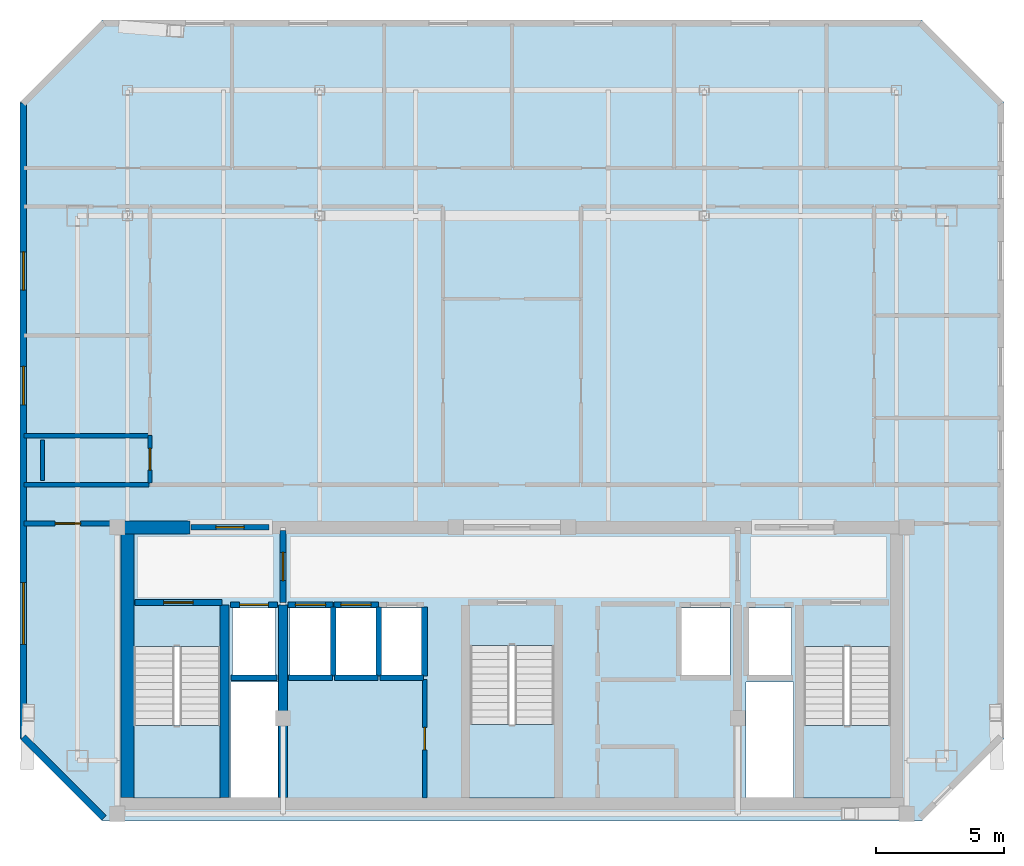
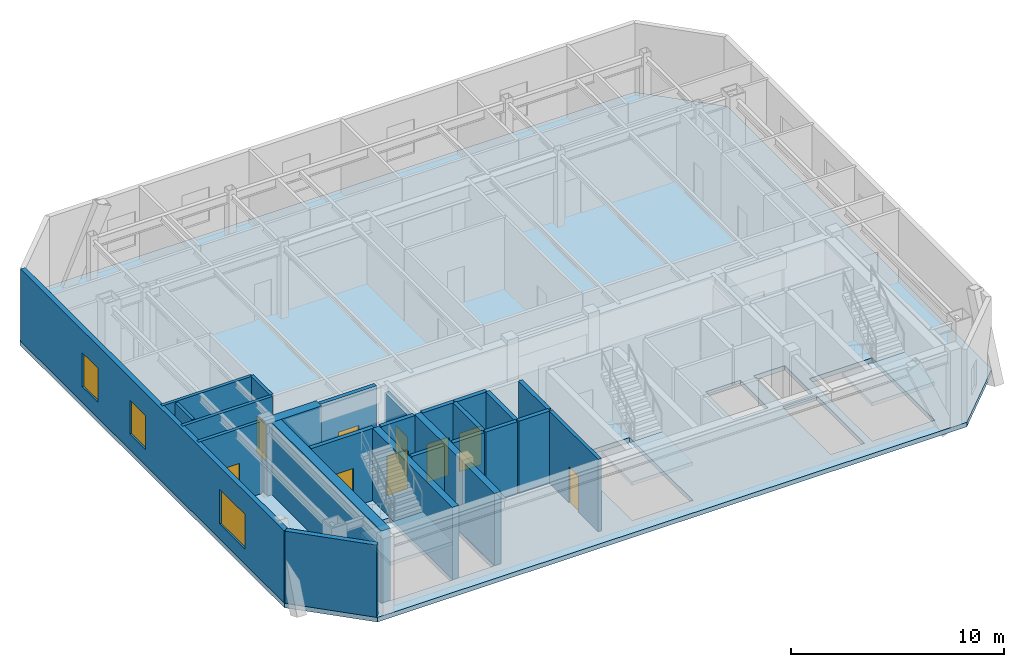
# One storey, part 2 of 6: 25 walls, 9 doors, 4 slabs, 3 windows, 12 openings, 3 elements without a shape of their own.
"""IFC4 building model written with IfcOpenShell, lengths in metres."""

from ifc_helpers import new_model, si_unit, direction, frame, frame_2d, origin, place, context, subcontext, project, spatial, polyline, rectangle, outline, extrude, material, layer, layer_set, type_object, element, fill, aggregate, save


model = new_model("IFC4")

# Units and contexts
model_context = context("Model", 3, precision=1e-05, world=origin(), true_north=direction((0.0, 1.0)))
body_context = subcontext(model_context, "Body", "Model", "MODEL_VIEW")
ifc_project = project(units=[si_unit("LENGTHUNIT", "METRE"), si_unit("AREAUNIT", "SQUARE_METRE"), si_unit("VOLUMEUNIT", "CUBIC_METRE"), si_unit("PLANEANGLEUNIT", "RADIAN"), si_unit("MASSUNIT", "GRAM", prefix="KILO")], contexts=[model_context])

# Site, building, storey
site_placement = place(None, origin())
site = spatial("IfcSite", under=ifc_project, at=site_placement, CompositionType="ELEMENT")
building_placement = place(site_placement, origin())
building = spatial("IfcBuilding", under=site, at=building_placement, Name="Ventersveld Concourse Tower", CompositionType="ELEMENT")
storey_placement = place(building_placement, frame((0.0, 0.0, 349.050048828125)))
storey = spatial("IfcBuildingStorey", under=building, at=storey_placement, Name="L86", CompositionType="ELEMENT", Elevation=349.050048828125)

# Slab
ifc_material_1 = material(Name="Concrete C50/60", Category="concrete")
ifc_layer_1 = layer(ifc_material_1, 0.260009765625)
ifc_layer_set_1 = layer_set([ifc_layer_1], Name="Concrete C50/60")
slab_type_1 = type_object("IfcSlabType", Name="SL-FLR-260", PredefinedType="FLOOR", material=ifc_layer_set_1)
slab_1_placement = place(storey_placement, frame((0.0, 0.0, -0.260009765625)))
element("IfcSlab", 1, at=slab_1_placement, inside=storey, type_object=slab_type_1, Name="L86 Composite Floor Slab", PredefinedType="FLOOR", context=body_context, shape_type="SweptSolid", body=[
    extrude(outline(polyline([(12.76171875, 0.0), (44.73828125, 0.0), (47.938232421875, 3.199951171875), (47.938232421875, 28.036865234375), (44.73828125, 31.23681640625), (12.76171875, 31.23681640625), (9.561767578125, 28.036865234375), (9.561767578125, 3.199951171875), (12.76171875, 0.0)]), holes=[polyline([(13.97998046875, 6.794921875), (13.97998046875, 0.89990234375), (17.3798828125, 0.89990234375), (17.3798828125, 6.794921875), (13.97998046875, 6.794921875)]), polyline([(40.1201171875, 6.794921875), (40.1201171875, 0.89990234375), (43.52001953125, 0.89990234375), (43.52001953125, 6.794921875), (40.1201171875, 6.794921875)]), polyline([(27.10009765625, 6.844970703125), (27.10009765625, 0.89990234375), (30.39990234375, 0.89990234375), (30.39990234375, 6.844970703125), (27.10009765625, 6.844970703125)]), polyline([(17.85009765625, 5.699951171875), (19.530029296875, 5.699951171875), (19.530029296875, 8.300048828125), (17.85009765625, 8.300048828125), (17.85009765625, 5.699951171875)]), polyline([(37.969970703125, 5.699951171875), (39.64990234375, 5.699951171875), (39.64990234375, 8.300048828125), (37.969970703125, 8.300048828125), (37.969970703125, 5.699951171875)]), polyline([(35.35009765625, 5.699951171875), (37.25, 5.699951171875), (37.25, 8.300048828125), (35.35009765625, 8.300048828125), (35.35009765625, 5.699951171875)]), polyline([(20.090087890625, 5.699951171875), (21.68994140625, 5.699951171875), (21.68994140625, 8.300048828125), (20.090087890625, 8.300048828125), (20.090087890625, 5.699951171875)]), polyline([(21.8701171875, 5.699951171875), (23.469970703125, 5.699951171875), (23.469970703125, 8.300048828125), (21.8701171875, 8.300048828125), (21.8701171875, 5.699951171875)]), polyline([(23.64990234375, 5.699951171875), (25.25, 5.699951171875), (25.25, 8.300048828125), (23.64990234375, 8.300048828125), (23.64990234375, 5.699951171875)]), polyline([(17.780029296875, 0.919921875), (19.6201171875, 0.919921875), (19.6201171875, 5.419921875), (17.780029296875, 5.419921875), (17.780029296875, 0.919921875)]), polyline([(37.8798828125, 0.919921875), (39.719970703125, 0.919921875), (39.719970703125, 5.419921875), (37.8798828125, 5.419921875), (37.8798828125, 0.919921875)])]), origin(), (0.0, 0.0, 1.0), 0.260009765625),
])

# Stair, slab
stair_type_1 = type_object("IfcStairType", Name="ST-DOG-160", PredefinedType="HALF_TURN_STAIR", material=ifc_material_1)
stair_1_placement = place(storey_placement, origin())
stair_1 = element("IfcStair", 2, at=stair_1_placement, inside=storey, type_object=stair_type_1, Name="L86 Protected Tower Escape Stair ST-01", PredefinedType="HALF_TURN_STAIR")
ifc_layer_2 = layer(ifc_material_1, 0.199951171875)
ifc_layer_set_2 = layer_set([ifc_layer_2], Name="Concrete C50/60")
slab_type_2 = type_object("IfcSlabType", Name="SL-LND-200", PredefinedType="LANDING", material=ifc_layer_set_2)
slab_2_placement = place(storey_placement, frame((0.0, 0.0, 2.0)))
slab_2 = element("IfcSlab", 3, at=slab_2_placement, type_object=slab_type_2, Name="ST-01 landing 1", PredefinedType="LANDING", context=body_context, shape_type="SweptSolid", body=[
    extrude(outline(polyline([(13.97998046875, 3.719970703125), (13.97998046875, 0.89990234375), (17.3798828125, 0.89990234375), (17.3798828125, 3.719970703125), (13.97998046875, 3.719970703125)])), origin(), (0.0, 0.0, 1.0), 0.199951171875),
])
aggregate(stair_1, [slab_2])

stair_2_placement = place(storey_placement, origin())
stair_2 = element("IfcStair", 4, at=stair_2_placement, inside=storey, type_object=stair_type_1, Name="L86 Protected Tower Escape Stair ST-02", PredefinedType="HALF_TURN_STAIR")
slab_3_placement = place(storey_placement, frame((0.0, 0.0, 2.0)))
slab_3 = element("IfcSlab", 5, at=slab_3_placement, type_object=slab_type_2, Name="ST-02 landing 1", PredefinedType="LANDING", context=body_context, shape_type="SweptSolid", body=[
    extrude(outline(polyline([(40.1201171875, 3.719970703125), (40.1201171875, 0.89990234375), (43.52001953125, 0.89990234375), (43.52001953125, 3.719970703125), (40.1201171875, 3.719970703125)])), origin(), (0.0, 0.0, 1.0), 0.199951171875),
])
aggregate(stair_2, [slab_3])

stair_type_2 = type_object("IfcStairType", Name="ST-DOG-155", PredefinedType="HALF_TURN_STAIR", material=ifc_material_1)
stair_3_placement = place(storey_placement, origin())
stair_3 = element("IfcStair", 6, at=stair_3_placement, inside=storey, type_object=stair_type_2, Name="L86 Protected Central Core Escape Stair ST-03", PredefinedType="HALF_TURN_STAIR")
slab_4_placement = place(storey_placement, frame((0.0, 0.0, 2.0)))
slab_4 = element("IfcSlab", 7, at=slab_4_placement, type_object=slab_type_2, Name="ST-03 landing 1", PredefinedType="LANDING", context=body_context, shape_type="SweptSolid", body=[
    extrude(outline(polyline([(27.10009765625, 3.77001953125), (27.10009765625, 0.89990234375), (30.39990234375, 0.89990234375), (30.39990234375, 3.77001953125), (27.10009765625, 3.77001953125)])), origin(), (0.0, 0.0, 1.0), 0.199951171875),
])
aggregate(stair_3, [slab_4])

# Walls
ifc_layer_3 = layer(ifc_material_1, 0.35009765625)
ifc_layer_set_3 = layer_set([ifc_layer_3], Name="Concrete C50/60")
wall_type_1 = type_object("IfcWallType", Name="WL-CORE-350U", PredefinedType="SHEAR", material=ifc_layer_set_3)
for number, where, z_axis, x_axis, name in (
    (8, (17.5400390625, 0.919921875, 0.0), (0.0, 0.0, 1.0), (0.0, 1.0, 0.0), "L86 Core Internal Shear Web W-ST1-E"),
    (9, (19.820068359375, 0.919921875, 0.0), (0.0, 0.0, 1.0), (0.0, 1.0, 0.0), "L86 Core Internal Shear Web W-FF1-E"),
):
    element("IfcWall", number, at=place(storey_placement, frame(where, z_axis=z_axis, x_axis=x_axis)), inside=storey, type_object=wall_type_1, Name=name, PredefinedType="SHEAR", context=body_context, shape_type="SweptSolid", body=[
        extrude(rectangle(XDim=7.5, YDim=0.35009765625, at=frame_2d((3.75, 0.0))), origin(), (0.0, 0.0, 1.0), 4.139892578125),
    ])
ifc_layer_4 = layer(ifc_material_1, 0.5)
ifc_layer_set_4 = layer_set([ifc_layer_4], Name="Concrete C50/60")
wall_type_2 = type_object("IfcWallType", Name="WL-CORE-500", PredefinedType="SHEAR", material=ifc_layer_set_4)
wall_1_placement = place(storey_placement, frame((13.75, 0.919921875, 0.0), z_axis=(0.0, 0.0, 1.0), x_axis=(0.0, 1.0, 0.0)))
element("IfcWall", 10, at=wall_1_placement, inside=storey, type_object=wall_type_2, Name="L86 Rear Core West Shear Wall", PredefinedType="SHEAR", context=body_context, shape_type="SweptSolid", body=[
    extrude(rectangle(XDim=10.530029296875, YDim=0.5, at=frame_2d((5.26513671875, 0.0))), origin(), (0.0, 0.0, 1.0), 4.139892578125),
])
wall_2_placement = place(storey_placement, frame((13.25, 11.449951171875, 0.0), z_axis=(0.0, 0.0, 1.0), x_axis=(1.0, 0.0, 0.0)))
element("IfcWall", 11, at=wall_2_placement, inside=storey, type_object=wall_type_2, Name="L86 Rear Core North Shear Wall NW", PredefinedType="SHEAR", context=body_context, shape_type="SweptSolid", body=[
    extrude(rectangle(XDim=2.949951171875, YDim=0.5, at=frame_2d((1.47509765625, 0.0))), origin(), (0.0, 0.0, 1.0), 4.139892578125),
])

# Wall, opening, door
ifc_material_2 = material(Name="Fire-rated autoclaved aerated masonry blockwork", Category="masonry")
ifc_layer_5 = layer(ifc_material_2, 0.179931640625)
ifc_layer_set_5 = layer_set([ifc_layer_5], Name="Fire-rated autoclaved aerated masonry blockwork")
wall_type_3 = type_object("IfcWallType", Name="WL-CORR-180", PredefinedType="PARTITIONING", material=ifc_layer_set_5)
wall_3_placement = place(storey_placement, frame((25.35009765625, 0.89990234375, 0.0), z_axis=(0.0, 0.0, 1.0), x_axis=(0.0, 1.0, 0.0)))
wall_3 = element("IfcWall", 12, at=wall_3_placement, inside=storey, type_object=wall_type_3, Name="L86 Core Passage Wall SP-L86-RECB1A", PredefinedType="PARTITIONING", context=body_context, shape_type="SweptSolid", body=[
    extrude(rectangle(XDim=4.6201171875, YDim=0.179931640625, at=frame_2d((2.31005859375, 0.0))), origin(), (0.0, 0.0, 1.0), 4.139892578125),
])
opening_1_placement = place(wall_3_placement, frame((1.8701171875, 0.0, 0.0)))
opening_1 = element("IfcOpeningElement", 13, at=opening_1_placement, cuts=wall_3, Name="Opening FD5", PredefinedType="OPENING", context=body_context, shape_type="SweptSolid", body=[
    extrude(rectangle(XDim=0.8798828125, YDim=2.050048828125, at=frame_2d((0.43994140625, 1.02490234375))), frame((0.0, 0.10009765625, 0.0), z_axis=(0.0, -1.0, 0.0), x_axis=(1.0, 0.0, 0.0)), (0.0, 0.0, 1.0), 0.199951171875),
])
ifc_material_3 = material(Name="Galvanised painted steel", Category="steel")
door_type_1 = type_object("IfcDoorType", Name="DR-RISER-088", OperationType="NOTDEFINED", PredefinedType="DOOR", material=ifc_material_3)
door_1_placement = place(opening_1_placement, origin())
door_1 = element("IfcDoor", 14, at=door_1_placement, inside=storey, type_object=door_type_1, Name="L86 Core Room Door L86 Reclaimed Core Meeting Pod (CD-L86-3836)", OperationType="SINGLE_SWING_LEFT", OverallHeight=2.050048828125, OverallWidth=0.8798828125, PredefinedType="DOOR", context=body_context, shape_type="SweptSolid", body=[
    extrude(rectangle(XDim=0.8798828125, YDim=2.050048828125, at=frame_2d((0.43994140625, 1.02490234375))), frame((0.0, 0.02490234375, 0.0), z_axis=(0.0, -1.0, 0.0), x_axis=(1.0, 0.0, 0.0)), (0.0, 0.0, 1.0), 0.050048828125),
])
fill(opening_1, door_1)

wall_4_placement = place(storey_placement, frame((9.711181640625, 11.60009765625, 0.0), z_axis=(0.0, 0.0, 1.0), x_axis=(1.0, 0.0, 0.0)))
wall_4 = element("IfcWall", 15, at=wall_4_placement, inside=storey, type_object=wall_type_3, Name="L86 Interior Partition SP-L86-SW-GAL-SP-L86-COR", PredefinedType="PARTITIONING", context=body_context, shape_type="SweptSolid", body=[
    extrude(rectangle(XDim=3.433837890625, YDim=0.179931640625, at=frame_2d((1.716796875, 0.0))), origin(), (0.0, 0.0, 1.0), 4.139892578125),
])
opening_2_placement = place(wall_4_placement, frame((1.216796875, 0.0, 0.0)))
opening_2 = element("IfcOpeningElement", 16, at=opening_2_placement, cuts=wall_4, Name="Opening FD3", PredefinedType="OPENING", context=body_context, shape_type="SweptSolid", body=[
    extrude(rectangle(XDim=1.0, YDim=2.14990234375, at=frame_2d((0.5, 1.074951171875))), frame((0.0, 0.10009765625, 0.0), z_axis=(0.0, -1.0, 0.0), x_axis=(1.0, 0.0, 0.0)), (0.0, 0.0, 1.0), 0.199951171875),
])
ifc_material_4 = material(Name="Solid-core hardwood veneer timber", Category="wood")
door_type_2 = type_object("IfcDoorType", Name="DR-FLAT-100", OperationType="NOTDEFINED", PredefinedType="DOOR", material=ifc_material_4)
door_2_placement = place(opening_2_placement, origin())
door_2 = element("IfcDoor", 17, at=door_2_placement, inside=storey, type_object=door_type_2, Name="L86 Interior Door SP-L86-SW-GAL to SP-L86-COR (D-L86-3840)", OperationType="SINGLE_SWING_RIGHT", OverallHeight=2.14990234375, OverallWidth=1.0, PredefinedType="DOOR", context=body_context, shape_type="SweptSolid", body=[
    extrude(rectangle(XDim=1.0, YDim=2.14990234375, at=frame_2d((0.5, 1.074951171875))), frame((0.0, 0.02490234375, 0.0), z_axis=(0.0, -1.0, 0.0), x_axis=(1.0, 0.0, 0.0)), (0.0, 0.0, 1.0), 0.050048828125),
])
fill(opening_2, door_2)

# Walls
wall_5_placement = place(storey_placement, frame((9.711181640625, 13.114990234375, 0.0), z_axis=(0.0, 0.0, 1.0), x_axis=(1.0, 0.0, 0.0)))
element("IfcWall", 18, at=wall_5_placement, inside=storey, type_object=wall_type_3, Name="L86 Interior Partition SP-L86-COR-SP-L86-86N1-BATH", PredefinedType="PARTITIONING", context=body_context, shape_type="SweptSolid", body=[
    extrude(rectangle(XDim=4.885498046875, YDim=0.179931640625, at=frame_2d((2.44287109375, 0.0))), origin(), (0.0, 0.0, 1.0), 4.139892578125),
])
ifc_layer_6 = layer(ifc_material_2, 0.219970703125)
ifc_layer_set_6 = layer_set([ifc_layer_6], Name="Fire-rated autoclaved aerated masonry blockwork")
wall_type_4 = type_object("IfcWallType", Name="WL-HOIST-220", PredefinedType="SOLIDWALL", material=ifc_layer_set_6)
wall_6_placement = place(storey_placement, frame((17.800048828125, 5.590087890625, 0.0), z_axis=(0.0, 0.0, 1.0), x_axis=(1.0, 0.0, 0.0)))
element("IfcWall", 19, at=wall_6_placement, inside=storey, type_object=wall_type_4, Name="L86 Lift Hoistway Back Wall FFL-01", PredefinedType="SOLIDWALL", context=body_context, shape_type="SweptSolid", body=[
    extrude(rectangle(XDim=1.780029296875, YDim=0.219970703125, at=frame_2d((0.89013671875, 0.0))), origin(), (0.0, 0.0, 1.0), 4.139892578125),
])

# Wall, opening, door
wall_7_placement = place(storey_placement, frame((17.780029296875, 8.429931640625, 0.0), z_axis=(0.0, 0.0, 1.0), x_axis=(1.0, 0.0, 0.0)))
wall_7 = element("IfcWall", 20, at=wall_7_placement, inside=storey, type_object=wall_type_4, Name="L86 Lift Hoistway Front Wall FFL-01", PredefinedType="SOLIDWALL", context=body_context, shape_type="SweptSolid", body=[
    extrude(rectangle(XDim=1.820068359375, YDim=0.219970703125, at=frame_2d((0.91015625, 0.0))), origin(), (0.0, 0.0, 1.0), 4.139892578125),
])
opening_3_placement = place(wall_7_placement, frame((0.35009765625, 0.0, 0.0)))
opening_3 = element("IfcOpeningElement", 21, at=opening_3_placement, cuts=wall_7, Name="Opening LD1", PredefinedType="OPENING", context=body_context, shape_type="SweptSolid", body=[
    extrude(rectangle(XDim=1.1201171875, YDim=2.25, at=frame_2d((0.56005859375, 1.125))), frame((0.0, 0.1201171875, 0.0), z_axis=(0.0, -1.0, 0.0), x_axis=(1.0, 0.0, 0.0)), (0.0, 0.0, 1.0), 0.239990234375),
])
ifc_material_5 = material(Name="Brushed stainless steel 316", Category="steel")
door_type_3 = type_object("IfcDoorType", Name="LD-FF-112", OperationType="SLIDING_TO_LEFT", PredefinedType="DOOR", material=ifc_material_5)
door_3_placement = place(opening_3_placement, origin())
door_3 = element("IfcDoor", 22, at=door_3_placement, inside=storey, type_object=door_type_3, Name="L86 Lift landing door FFL-01 (LD-L86-FFL-01)", OperationType="SLIDING_TO_RIGHT", OverallHeight=2.25, OverallWidth=1.1201171875, PredefinedType="DOOR", context=body_context, shape_type="SweptSolid", body=[
    extrude(rectangle(XDim=1.1201171875, YDim=2.25, at=frame_2d((0.56005859375, 1.125))), frame((0.0, 0.02490234375, 0.0), z_axis=(0.0, -1.0, 0.0), x_axis=(1.0, 0.0, 0.0)), (0.0, 0.0, 1.0), 0.050048828125),
])
fill(opening_3, door_3)

# Walls
wall_8_placement = place(storey_placement, frame((20.0400390625, 5.590087890625, 0.0), z_axis=(0.0, 0.0, 1.0), x_axis=(1.0, 0.0, 0.0)))
element("IfcWall", 23, at=wall_8_placement, inside=storey, type_object=wall_type_4, Name="L86 Lift Hoistway Back Wall PH-01", PredefinedType="SOLIDWALL", context=body_context, shape_type="SweptSolid", body=[
    extrude(rectangle(XDim=1.699951171875, YDim=0.219970703125, at=frame_2d((0.85009765625, 0.0))), origin(), (0.0, 0.0, 1.0), 4.139892578125),
])
wall_9_placement = place(storey_placement, frame((21.780029296875, 5.64990234375, 0.0), z_axis=(0.0, 0.0, 1.0), x_axis=(0.0, 1.0, 0.0)))
element("IfcWall", 24, at=wall_9_placement, inside=storey, type_object=wall_type_4, Name="L86 Lift Hoistway Side Wall PH-01E", PredefinedType="SOLIDWALL", context=body_context, shape_type="SweptSolid", body=[
    extrude(rectangle(XDim=2.7001953125, YDim=0.219970703125, at=frame_2d((1.35009765625, 0.0))), origin(), (0.0, 0.0, 1.0), 4.139892578125),
])

# Wall, opening, door
wall_10_placement = place(storey_placement, frame((20.02001953125, 8.429931640625, 0.0), z_axis=(0.0, 0.0, 1.0), x_axis=(1.0, 0.0, 0.0)))
wall_10 = element("IfcWall", 25, at=wall_10_placement, inside=storey, type_object=wall_type_4, Name="L86 Lift Hoistway Front Wall PH-01", PredefinedType="SOLIDWALL", context=body_context, shape_type="SweptSolid", body=[
    extrude(rectangle(XDim=1.739990234375, YDim=0.219970703125, at=frame_2d((0.8701171875, 0.0))), origin(), (0.0, 0.0, 1.0), 4.139892578125),
])
opening_4_placement = place(wall_10_placement, frame((0.280029296875, 0.0, 0.0)))
opening_4 = element("IfcOpeningElement", 26, at=opening_4_placement, cuts=wall_10, Name="Opening LD2", PredefinedType="OPENING", context=body_context, shape_type="SweptSolid", body=[
    extrude(rectangle(XDim=1.179931640625, YDim=2.199951171875, at=frame_2d((0.58984375, 1.10009765625))), frame((0.0, 0.1201171875, 0.0), z_axis=(0.0, -1.0, 0.0), x_axis=(1.0, 0.0, 0.0)), (0.0, 0.0, 1.0), 0.239990234375),
])
door_type_4 = type_object("IfcDoorType", Name="LD-PAX-118", OperationType="SLIDING_TO_LEFT", PredefinedType="DOOR", material=ifc_material_5)
door_4_placement = place(opening_4_placement, origin())
door_4 = element("IfcDoor", 27, at=door_4_placement, inside=storey, type_object=door_type_4, Name="L86 Lift landing door PH-01 (LD-L86-PH-01)", OperationType="SLIDING_TO_LEFT", OverallHeight=2.199951171875, OverallWidth=1.179931640625, PredefinedType="DOOR", context=body_context, shape_type="SweptSolid", body=[
    extrude(rectangle(XDim=1.179931640625, YDim=2.199951171875, at=frame_2d((0.58984375, 1.10009765625))), frame((0.0, 0.02490234375, 0.0), z_axis=(0.0, -1.0, 0.0), x_axis=(1.0, 0.0, 0.0)), (0.0, 0.0, 1.0), 0.050048828125),
])
fill(opening_4, door_4)

# Walls
wall_11_placement = place(storey_placement, frame((21.820068359375, 5.590087890625, 0.0), z_axis=(0.0, 0.0, 1.0), x_axis=(1.0, 0.0, 0.0)))
element("IfcWall", 28, at=wall_11_placement, inside=storey, type_object=wall_type_4, Name="L86 Lift Hoistway Back Wall PH-02", PredefinedType="SOLIDWALL", context=body_context, shape_type="SweptSolid", body=[
    extrude(rectangle(XDim=1.699951171875, YDim=0.219970703125, at=frame_2d((0.85009765625, 0.0))), origin(), (0.0, 0.0, 1.0), 4.139892578125),
])
wall_12_placement = place(storey_placement, frame((23.56005859375, 5.64990234375, 0.0), z_axis=(0.0, 0.0, 1.0), x_axis=(0.0, 1.0, 0.0)))
element("IfcWall", 29, at=wall_12_placement, inside=storey, type_object=wall_type_4, Name="L86 Lift Hoistway Side Wall PH-02E", PredefinedType="SOLIDWALL", context=body_context, shape_type="SweptSolid", body=[
    extrude(rectangle(XDim=2.7001953125, YDim=0.219970703125, at=frame_2d((1.35009765625, 0.0))), origin(), (0.0, 0.0, 1.0), 4.139892578125),
])

# Wall, opening, door
wall_13_placement = place(storey_placement, frame((21.800048828125, 8.429931640625, 0.0), z_axis=(0.0, 0.0, 1.0), x_axis=(1.0, 0.0, 0.0)))
wall_13 = element("IfcWall", 30, at=wall_13_placement, inside=storey, type_object=wall_type_4, Name="L86 Lift Hoistway Front Wall PH-02", PredefinedType="SOLIDWALL", context=body_context, shape_type="SweptSolid", body=[
    extrude(rectangle(XDim=1.739990234375, YDim=0.219970703125, at=frame_2d((0.8701171875, 0.0))), origin(), (0.0, 0.0, 1.0), 4.139892578125),
])
opening_5_placement = place(wall_13_placement, frame((0.280029296875, 0.0, 0.0)))
opening_5 = element("IfcOpeningElement", 31, at=opening_5_placement, cuts=wall_13, Name="Opening LD2", PredefinedType="OPENING", context=body_context, shape_type="SweptSolid", body=[
    extrude(rectangle(XDim=1.179931640625, YDim=2.199951171875, at=frame_2d((0.58984375, 1.10009765625))), frame((0.0, 0.1201171875, 0.0), z_axis=(0.0, -1.0, 0.0), x_axis=(1.0, 0.0, 0.0)), (0.0, 0.0, 1.0), 0.239990234375),
])
door_5_placement = place(opening_5_placement, origin())
door_5 = element("IfcDoor", 32, at=door_5_placement, inside=storey, type_object=door_type_4, Name="L86 Lift landing door PH-02 (LD-L86-PH-02)", OperationType="SLIDING_TO_RIGHT", OverallHeight=2.199951171875, OverallWidth=1.179931640625, PredefinedType="DOOR", context=body_context, shape_type="SweptSolid", body=[
    extrude(rectangle(XDim=1.179931640625, YDim=2.199951171875, at=frame_2d((0.58984375, 1.10009765625))), frame((0.0, 0.02490234375, 0.0), z_axis=(0.0, -1.0, 0.0), x_axis=(1.0, 0.0, 0.0)), (0.0, 0.0, 1.0), 0.050048828125),
])
fill(opening_5, door_5)

# Walls
wall_14_placement = place(storey_placement, frame((23.60009765625, 5.590087890625, 0.0), z_axis=(0.0, 0.0, 1.0), x_axis=(1.0, 0.0, 0.0)))
element("IfcWall", 33, at=wall_14_placement, inside=storey, type_object=wall_type_4, Name="L86 Lift Hoistway Back Wall PH-03", PredefinedType="SOLIDWALL", context=body_context, shape_type="SweptSolid", body=[
    extrude(rectangle(XDim=1.699951171875, YDim=0.219970703125, at=frame_2d((0.85009765625, 0.0))), origin(), (0.0, 0.0, 1.0), 4.139892578125),
])
wall_15_placement = place(storey_placement, frame((25.340087890625, 5.64990234375, 0.0), z_axis=(0.0, 0.0, 1.0), x_axis=(0.0, 1.0, 0.0)))
element("IfcWall", 34, at=wall_15_placement, inside=storey, type_object=wall_type_4, Name="L86 Lift Hoistway Side Wall PH-03E", PredefinedType="SOLIDWALL", context=body_context, shape_type="SweptSolid", body=[
    extrude(rectangle(XDim=2.7001953125, YDim=0.219970703125, at=frame_2d((1.35009765625, 0.0))), origin(), (0.0, 0.0, 1.0), 4.139892578125),
])

# Wall, opening, door
wall_16_placement = place(storey_placement, frame((14.0400390625, 8.52001953125, 0.0), z_axis=(0.0, 0.0, 1.0), x_axis=(1.0, 0.0, 0.0)))
wall_16 = element("IfcWall", 35, at=wall_16_placement, inside=storey, type_object=wall_type_4, Name="L86 Escape Stair ST01 Fire Wall", PredefinedType="SOLIDWALL", context=body_context, shape_type="SweptSolid", body=[
    extrude(rectangle(XDim=3.39990234375, YDim=0.219970703125, at=frame_2d((1.699951171875, 0.0))), origin(), (0.0, 0.0, 1.0), 4.139892578125),
])
opening_6_placement = place(wall_16_placement, frame((1.125, 0.0, 0.0)))
opening_6 = element("IfcOpeningElement", 36, at=opening_6_placement, cuts=wall_16, Name="Opening FD1", PredefinedType="OPENING", context=body_context, shape_type="SweptSolid", body=[
    extrude(rectangle(XDim=1.14990234375, YDim=2.199951171875, at=frame_2d((0.574951171875, 1.10009765625))), frame((0.0, 0.1201171875, 0.0), z_axis=(0.0, -1.0, 0.0), x_axis=(1.0, 0.0, 0.0)), (0.0, 0.0, 1.0), 0.239990234375),
])
door_type_5 = type_object("IfcDoorType", Name="DR-STAIR-115", OperationType="NOTDEFINED", PredefinedType="DOOR", material=ifc_material_3)
door_6_placement = place(opening_6_placement, origin())
door_6 = element("IfcDoor", 37, at=door_6_placement, inside=storey, type_object=door_type_5, Name="L86 Escape Stair Door ST01 (SD-L86-3828)", OperationType="SINGLE_SWING_LEFT", OverallHeight=2.199951171875, OverallWidth=1.14990234375, PredefinedType="DOOR", context=body_context, shape_type="SweptSolid", body=[
    extrude(rectangle(XDim=1.14990234375, YDim=2.199951171875, at=frame_2d((0.574951171875, 1.10009765625))), frame((0.0, 0.02490234375, 0.0), z_axis=(0.0, -1.0, 0.0), x_axis=(1.0, 0.0, 0.0)), (0.0, 0.0, 1.0), 0.050048828125),
])
fill(opening_6, door_6)

wall_17_placement = place(storey_placement, frame((19.820068359375, 8.52001953125, 0.0), z_axis=(0.0, 0.0, 1.0), x_axis=(0.0, 1.0, 0.0)))
wall_17 = element("IfcWall", 38, at=wall_17_placement, inside=storey, type_object=wall_type_4, Name="L86 Firefighting Lobby Smoke-Stop Wall FFLW-SEP", PredefinedType="SOLIDWALL", context=body_context, shape_type="SweptSolid", body=[
    extrude(rectangle(XDim=2.800048828125, YDim=0.219970703125, at=frame_2d((1.39990234375, 0.0))), origin(), (0.0, 0.0, 1.0), 3.595458984375),
])
opening_7_placement = place(wall_17_placement, frame((0.85009765625, 0.0, 0.0)))
opening_7 = element("IfcOpeningElement", 39, at=opening_7_placement, cuts=wall_17, Name="Opening FD2", PredefinedType="OPENING", context=body_context, shape_type="SweptSolid", body=[
    extrude(rectangle(XDim=1.10009765625, YDim=2.199951171875, at=frame_2d((0.550048828125, 1.10009765625))), frame((0.0, 0.1201171875, 0.0), z_axis=(0.0, -1.0, 0.0), x_axis=(1.0, 0.0, 0.0)), (0.0, 0.0, 1.0), 0.239990234375),
])
door_type_6 = type_object("IfcDoorType", Name="DR-FFL-110", OperationType="NOTDEFINED", PredefinedType="DOOR", material=ifc_material_3)
door_7_placement = place(opening_7_placement, origin())
door_7 = element("IfcDoor", 40, at=door_7_placement, inside=storey, type_object=door_type_6, Name="L86 Firefighting Lobby Door FFLW-SEP (FD-L86-3831)", OperationType="SINGLE_SWING_LEFT", OverallHeight=2.199951171875, OverallWidth=1.10009765625, PredefinedType="DOOR", context=body_context, shape_type="SweptSolid", body=[
    extrude(rectangle(XDim=1.10009765625, YDim=2.199951171875, at=frame_2d((0.550048828125, 1.10009765625))), frame((0.0, 0.02490234375, 0.0), z_axis=(0.0, -1.0, 0.0), x_axis=(1.0, 0.0, 0.0)), (0.0, 0.0, 1.0), 0.050048828125),
])
fill(opening_7, door_7)

wall_18_placement = place(storey_placement, frame((16.22998046875, 11.449951171875, 0.0), z_axis=(0.0, 0.0, 1.0), x_axis=(1.0, 0.0, 0.0)))
wall_18 = element("IfcWall", 41, at=wall_18_placement, inside=storey, type_object=wall_type_4, Name="L86 Core North Fire Portal FFLW-OUT", PredefinedType="SOLIDWALL", context=body_context, shape_type="SweptSolid", body=[
    extrude(rectangle(XDim=3.0400390625, YDim=0.219970703125, at=frame_2d((1.52001953125, 0.0))), origin(), (0.0, 0.0, 1.0), 4.139892578125),
])
opening_8_placement = place(wall_18_placement, frame((0.969970703125, 0.0, 0.0)))
opening_8 = element("IfcOpeningElement", 42, at=opening_8_placement, cuts=wall_18, Name="Opening FD2", PredefinedType="OPENING", context=body_context, shape_type="SweptSolid", body=[
    extrude(rectangle(XDim=1.10009765625, YDim=2.199951171875, at=frame_2d((0.550048828125, 1.10009765625))), frame((0.0, 0.1201171875, 0.0), z_axis=(0.0, -1.0, 0.0), x_axis=(1.0, 0.0, 0.0)), (0.0, 0.0, 1.0), 0.239990234375),
])
door_8_placement = place(opening_8_placement, origin())
door_8 = element("IfcDoor", 43, at=door_8_placement, inside=storey, type_object=door_type_6, Name="L86 Core Lobby Fire Door FFLW-OUT (FD-L86-3833)", OperationType="SINGLE_SWING_RIGHT", OverallHeight=2.199951171875, OverallWidth=1.10009765625, PredefinedType="DOOR", context=body_context, shape_type="SweptSolid", body=[
    extrude(rectangle(XDim=1.10009765625, YDim=2.199951171875, at=frame_2d((0.550048828125, 1.10009765625))), frame((0.0, 0.02490234375, 0.0), z_axis=(0.0, -1.0, 0.0), x_axis=(1.0, 0.0, 0.0)), (0.0, 0.0, 1.0), 0.050048828125),
])
fill(opening_8, door_8)

# Wall, openings, windows
ifc_material_6 = material(Name="Precast concrete C45/55", Category="concrete")
ifc_layer_7 = layer(ifc_material_6, 0.260009765625)
ifc_layer_set_7 = layer_set([ifc_layer_7], Name="Precast concrete C45/55")
wall_type_5 = type_object("IfcWallType", Name="WL-PREC-260", PredefinedType="SOLIDWALL", material=ifc_layer_set_7)
wall_19_placement = place(storey_placement, frame((9.691650390625, 27.996826171875, 0.0), z_axis=(0.0, 0.0, 1.0), x_axis=(0.0, -1.0, 0.0)))
wall_19 = element("IfcWall", 44, at=wall_19_placement, inside=storey, type_object=wall_type_5, Name="L86 Highveld Precast Facade Wall E07", PredefinedType="SOLIDWALL", context=body_context, shape_type="SweptSolid", body=[
    extrude(rectangle(XDim=24.7568359375, YDim=0.260009765625, at=frame_2d((12.37841796875, 0.0))), origin(), (0.0, 0.0, 1.0), 4.139892578125),
])
opening_9_placement = place(wall_19_placement, frame((18.706787109375, 0.0, 0.85009765625)))
opening_9 = element("IfcOpeningElement", 45, at=opening_9_placement, cuts=wall_19, Name="Opening W5", PredefinedType="OPENING", context=body_context, shape_type="SweptSolid", body=[
    extrude(rectangle(XDim=2.39990234375, YDim=2.0, at=frame_2d((1.199951171875, 1.0))), frame((0.0, 0.14013671875, 0.0), z_axis=(0.0, -1.0, 0.0), x_axis=(1.0, 0.0, 0.0)), (0.0, 0.0, 1.0), 0.280029296875),
])
opening_10_placement = place(wall_19_placement, frame((10.2734375, 0.0, 0.89990234375)))
opening_10 = element("IfcOpeningElement", 46, at=opening_10_placement, cuts=wall_19, Name="Opening W1", PredefinedType="OPENING", context=body_context, shape_type="SweptSolid", body=[
    extrude(rectangle(XDim=1.5, YDim=1.949951171875, at=frame_2d((0.75, 0.97509765625))), frame((0.0, 0.14013671875, 0.0), z_axis=(0.0, -1.0, 0.0), x_axis=(1.0, 0.0, 0.0)), (0.0, 0.0, 1.0), 0.280029296875),
])
opening_11_placement = place(wall_19_placement, frame((5.7998046875, 0.0, 0.89990234375)))
opening_11 = element("IfcOpeningElement", 47, at=opening_11_placement, cuts=wall_19, Name="Opening W1", PredefinedType="OPENING", context=body_context, shape_type="SweptSolid", body=[
    extrude(rectangle(XDim=1.5, YDim=1.949951171875, at=frame_2d((0.75, 0.97509765625))), frame((0.0, 0.14013671875, 0.0), z_axis=(0.0, -1.0, 0.0), x_axis=(1.0, 0.0, 0.0)), (0.0, 0.0, 1.0), 0.280029296875),
])
ifc_material_7 = material(Name="Tempered acoustic Low-E IGU", Category="glass")
window_type_1 = type_object("IfcWindowType", Name="WIN-150x210", PartitioningType="SINGLE_PANEL", PredefinedType="WINDOW", material=ifc_material_7)
window_1_placement = place(opening_10_placement, origin())
window_1 = element("IfcWindow", 48, at=window_1_placement, inside=storey, type_object=window_type_1, Name="L86 Punched Low-E Window W-1204", OverallHeight=1.949951171875, OverallWidth=1.5, PartitioningType="SINGLE_PANEL", PredefinedType="WINDOW", context=body_context, shape_type="SweptSolid", body=[
    extrude(rectangle(XDim=1.5, YDim=1.949951171875, at=frame_2d((0.75, 0.97509765625))), frame((0.0, 0.030029296875, 0.0), z_axis=(0.0, -1.0, 0.0), x_axis=(1.0, 0.0, 0.0)), (0.0, 0.0, 1.0), 0.06005859375),
])
fill(opening_10, window_1)
window_2_placement = place(opening_11_placement, origin())
window_2 = element("IfcWindow", 49, at=window_2_placement, inside=storey, type_object=window_type_1, Name="L86 Punched Low-E Window W-1205", OverallHeight=1.949951171875, OverallWidth=1.5, PartitioningType="SINGLE_PANEL", PredefinedType="WINDOW", context=body_context, shape_type="SweptSolid", body=[
    extrude(rectangle(XDim=1.5, YDim=1.949951171875, at=frame_2d((0.75, 0.97509765625))), frame((0.0, 0.030029296875, 0.0), z_axis=(0.0, -1.0, 0.0), x_axis=(1.0, 0.0, 0.0)), (0.0, 0.0, 1.0), 0.06005859375),
])
fill(opening_11, window_2)
window_type_2 = type_object("IfcWindowType", Name="WIN-240x210", PartitioningType="SINGLE_PANEL", PredefinedType="WINDOW", material=ifc_material_7)
window_3_placement = place(opening_9_placement, origin())
window_3 = element("IfcWindow", 50, at=window_3_placement, inside=storey, type_object=window_type_2, Name="L86 Punched Low-E Window W-1201", OverallHeight=2.0, OverallWidth=2.39990234375, PartitioningType="SINGLE_PANEL", PredefinedType="WINDOW", context=body_context, shape_type="SweptSolid", body=[
    extrude(rectangle(XDim=2.39990234375, YDim=2.0, at=frame_2d((1.199951171875, 1.0))), frame((0.0, 0.030029296875, 0.0), z_axis=(0.0, -1.0, 0.0), x_axis=(1.0, 0.0, 0.0)), (0.0, 0.0, 1.0), 0.06005859375),
])
fill(opening_9, window_3)

# Wall
wall_20_placement = place(storey_placement, frame((9.681884765625, 3.263671875, 0.0), z_axis=(0.0, 0.0, 1.0), x_axis=(0.707079321262, -0.707134240044, 0.0)))
element("IfcWall", 51, at=wall_20_placement, inside=storey, type_object=wall_type_5, Name="L86 Highveld Precast Facade Wall E08", PredefinedType="SOLIDWALL", context=body_context, shape_type="SweptSolid", body=[
    extrude(rectangle(XDim=4.445556640625, YDim=0.260009765625, at=frame_2d((2.22265625, 0.0))), origin(), (0.0, 0.0, 1.0), 4.139892578125),
])

# Wall, opening, door
ifc_material_8 = material(Name="Autoclaved aerated masonry blockwork", Category="masonry")
ifc_layer_8 = layer(ifc_material_8, 0.1650390625)
ifc_layer_set_8 = layer_set([ifc_layer_8], Name="Autoclaved aerated masonry blockwork")
wall_type_6 = type_object("IfcWallType", Name="WL-WET-165", PredefinedType="PLUMBINGWALL", material=ifc_layer_set_8)
wall_21_placement = place(storey_placement, frame((14.631591796875, 13.18505859375, 0.0), z_axis=(0.0, 0.0, 1.0), x_axis=(0.0, 1.0, 0.0)))
wall_21 = element("IfcWall", 52, at=wall_21_placement, inside=storey, type_object=wall_type_6, Name="L86 Interior Partition SP-L86-86N1-WGAL1-SP-L86-86N1-BATH", PredefinedType="PLUMBINGWALL", context=body_context, shape_type="SweptSolid", body=[
    extrude(rectangle(XDim=1.83984375, YDim=0.1650390625, at=frame_2d((0.919921875, 0.0))), origin(), (0.0, 0.0, 1.0), 4.139892578125),
])
opening_12_placement = place(wall_21_placement, frame((0.4951171875, 0.0, 0.0)))
opening_12 = element("IfcOpeningElement", 53, at=opening_12_placement, cuts=wall_21, Name="Opening ID2", PredefinedType="OPENING", context=body_context, shape_type="SweptSolid", body=[
    extrude(rectangle(XDim=0.85009765625, YDim=2.10009765625, at=frame_2d((0.425048828125, 1.050048828125))), frame((0.0, 0.092529296875, 0.0), z_axis=(0.0, -1.0, 0.0), x_axis=(1.0, 0.0, 0.0)), (0.0, 0.0, 1.0), 0.18505859375),
])
door_type_7 = type_object("IfcDoorType", Name="DR-BATH-085", OperationType="NOTDEFINED", PredefinedType="DOOR", material=ifc_material_4)
door_9_placement = place(opening_12_placement, origin())
door_9 = element("IfcDoor", 54, at=door_9_placement, inside=storey, type_object=door_type_7, Name="L86 Interior Door SP-L86-86N1-WGAL1 to SP-L86-86N1-BATH (D-L86-3847)", OperationType="SINGLE_SWING_LEFT", OverallHeight=2.10009765625, OverallWidth=0.85009765625, PredefinedType="DOOR", context=body_context, shape_type="SweptSolid", body=[
    extrude(rectangle(XDim=0.85009765625, YDim=2.10009765625, at=frame_2d((0.425048828125, 1.050048828125))), frame((0.0, 0.02490234375, 0.0), z_axis=(0.0, -1.0, 0.0), x_axis=(1.0, 0.0, 0.0)), (0.0, 0.0, 1.0), 0.050048828125),
])
fill(opening_12, door_9)

# Walls
wall_22_placement = place(storey_placement, frame((9.711181640625, 15.02001953125, 0.0), z_axis=(0.0, 0.0, 1.0), x_axis=(1.0, 0.0, 0.0)))
element("IfcWall", 55, at=wall_22_placement, inside=storey, type_object=wall_type_6, Name="L86 Interior Partition SP-L86-86N1-BATH-SP-L86-86N1-OFFL0", PredefinedType="PLUMBINGWALL", context=body_context, shape_type="SweptSolid", body=[
    extrude(rectangle(XDim=4.925537109375, YDim=0.1650390625, at=frame_2d((2.462890625, 0.0))), origin(), (0.0, 0.0, 1.0), 4.139892578125),
])
wall_23_placement = place(storey_placement, frame((10.441650390625, 13.280029296875, 0.0), z_axis=(0.0, 0.0, 1.0), x_axis=(0.0, 1.0, 0.0)))
element("IfcWall", 56, at=wall_23_placement, inside=storey, type_object=wall_type_6, Name="L86 Room Enclosure Wall SP-L86-86N1-BATH", PredefinedType="PLUMBINGWALL", context=body_context, shape_type="SweptSolid", body=[
    extrude(rectangle(XDim=1.574951171875, YDim=0.1650390625, at=frame_2d((0.78759765625, 0.0))), origin(), (0.0, 0.0, 1.0), 4.139892578125),
])

save(model, "model.ifc")
